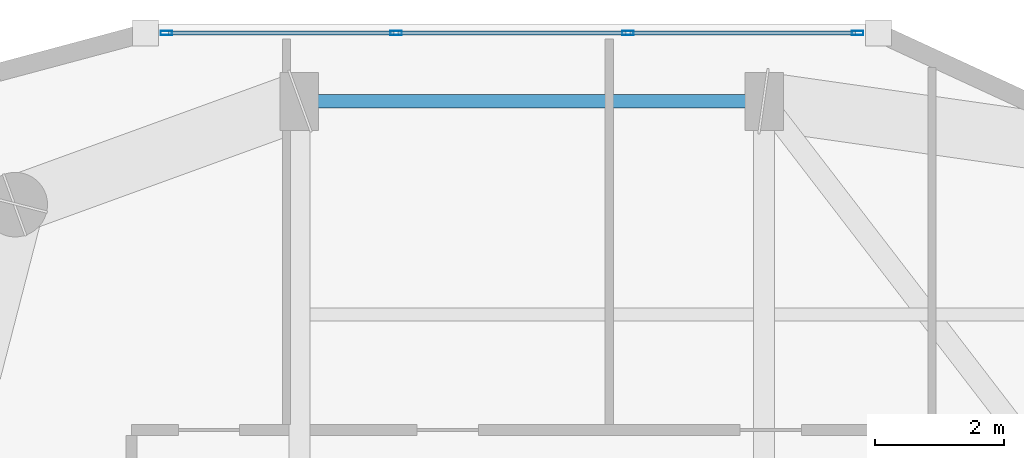
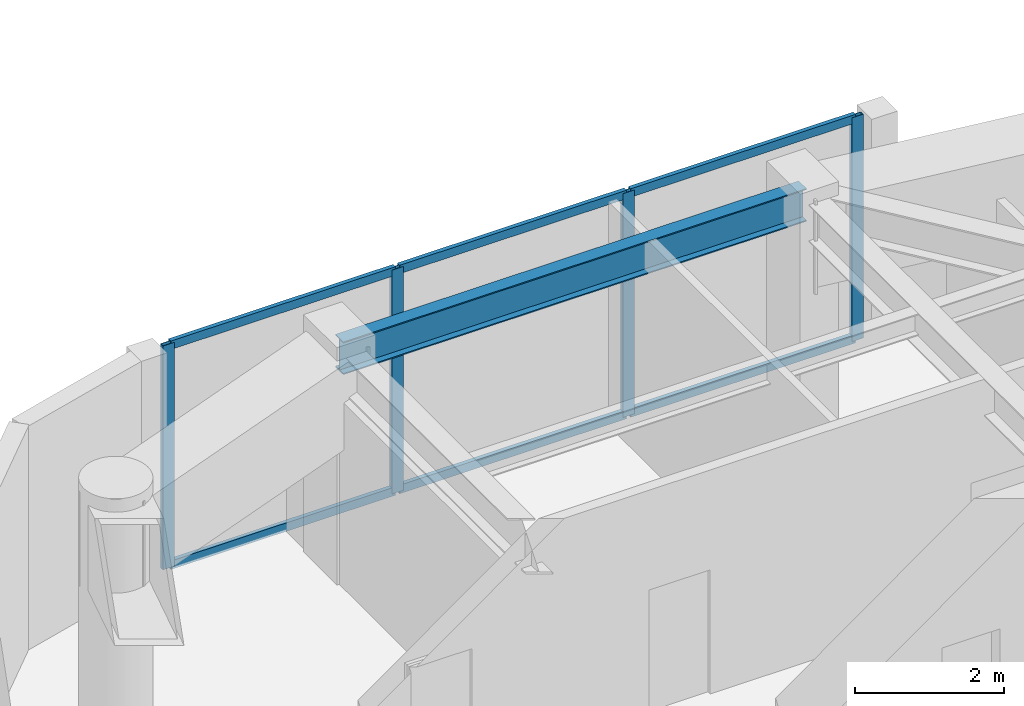
# One storey, part 6 of 15: 10 members, 1 beam, 1 element without a shape of its own.
"""IFC4 building model written with IfcOpenShell, lengths in metres."""

from ifc_helpers import new_model, si_unit, direction, frame, origin, origin_2d, place, context, subcontext, project, spatial, hollow_rectangle, i_section, extrude, material, layer, layer_set, material_profile, profile_set, type_object, element, aggregate, save


model = new_model("IFC4")

# Units and contexts
model_context = context("Model", 3, precision=1e-05, world=origin(), true_north=direction((0.0, 1.0)))
body_context = subcontext(model_context, "Body", "Model", "MODEL_VIEW")
ifc_project = project(units=[si_unit("LENGTHUNIT", "METRE"), si_unit("AREAUNIT", "SQUARE_METRE"), si_unit("VOLUMEUNIT", "CUBIC_METRE"), si_unit("PLANEANGLEUNIT", "RADIAN"), si_unit("MASSUNIT", "GRAM", prefix="KILO")], contexts=[model_context])

# Site, building, storey
site_placement = place(None, origin())
site = spatial("IfcSite", under=ifc_project, at=site_placement, CompositionType="ELEMENT")
building_placement = place(site_placement, origin())
building = spatial("IfcBuilding", under=site, at=building_placement, Name="Kiyonajd Concourse Tower", CompositionType="ELEMENT")
storey_placement = place(building_placement, frame((0.0, 0.0, 262.800048828125)))
storey = spatial("IfcBuildingStorey", under=building, at=storey_placement, Name="L66", CompositionType="ELEMENT", Elevation=262.800048828125)

# Beam
ifc_material_1 = material(Name="Steel ASTM A992 Grade 50", Category="steel")
ifc_material_profile_1 = material_profile(ifc_material_1, i_section(OverallWidth=0.2109375, OverallDepth=0.5390625, WebThickness=0.01171875, FlangeThickness=0.018798828125, at=origin_2d()), Name="W530X109")
ifc_profile_set_1 = profile_set([ifc_material_profile_1], Name="Steel ASTM A992 Grade 50")
beam_type = type_object("IfcBeamType", Name="BM-SPAN-530B", PredefinedType="SPANDREL", material=ifc_profile_set_1)
beam_placement = place(storey_placement, frame((39.60009765625, 52.199951171875, 3.410400390625), z_axis=(-1.0, 0.0, 0.0), x_axis=(0.0, -1.0, 0.0)))
element("IfcBeam", 1, at=beam_placement, inside=storey, type_object=beam_type, Name="L66 Perimeter Bundled Tube Spandrel", PredefinedType="SPANDREL", context=body_context, shape_type="SweptSolid", body=[
    extrude(i_section(OverallWidth=0.2109375, OverallDepth=0.5390625, WebThickness=0.01171875, FlangeThickness=0.018798828125, at=origin_2d()), origin(), (0.0, 0.0, 1.0), 7.2001953125),
])

# Curtain wall, members
ifc_material_2 = material(Name="Thermally Broken Anodised Aluminium", Category="aluminium")
ifc_layer = layer(ifc_material_2, 0.179931640625)
ifc_layer_set = layer_set([ifc_layer], Name="Thermally Broken Anodised Aluminium")
curtain_wall_type = type_object("IfcCurtainWallType", Name="CW-SYS-04", PredefinedType="NOTDEFINED", material=ifc_layer_set)
curtain_wall_placement = place(storey_placement, origin())
curtain_wall = element("IfcCurtainWall", 2, at=curtain_wall_placement, inside=storey, type_object=curtain_wall_type, Name="L66 Unitised Curtain Wall CW4", PredefinedType="NOTDEFINED")
ifc_material_profile_2 = material_profile(ifc_material_2, hollow_rectangle(XDim=0.06494140625, YDim=0.179931640625, WallThickness=0.00390625, at=origin_2d()), Name="MULL-65x180")
ifc_profile_set_2 = profile_set([ifc_material_profile_2], Name="Thermally Broken Anodised Aluminium")
member_type_1 = type_object("IfcMemberType", Name="MB-CW-MULL1", PredefinedType="MULLION", material=ifc_profile_set_2)
member_1_placement = place(storey_placement, frame((30.3408203125, 53.260009765625, 0.0), z_axis=(0.0, 0.0, 1.0), x_axis=(0.0, 1.0, 0.0)))
member_1 = element("IfcMember", 3, at=member_1_placement, type_object=member_type_1, Name="CW4 mullion 1", PredefinedType="MULLION", context=body_context, shape_type="SweptSolid", body=[
    extrude(hollow_rectangle(XDim=0.06494140625, YDim=0.179931640625, WallThickness=0.00390625, at=origin_2d()), origin(), (0.0, 0.0, 1.0), 3.679931640625),
])
member_2_placement = place(storey_placement, frame((33.898681640625, 53.260009765625, 0.0), z_axis=(0.0, 0.0, 1.0), x_axis=(0.0, 1.0, 0.0)))
member_2 = element("IfcMember", 4, at=member_2_placement, type_object=member_type_1, Name="CW4 mullion 2", PredefinedType="MULLION", context=body_context, shape_type="SweptSolid", body=[
    extrude(hollow_rectangle(XDim=0.06494140625, YDim=0.179931640625, WallThickness=0.00390625, at=origin_2d()), origin(), (0.0, 0.0, 1.0), 3.679931640625),
])
member_3_placement = place(storey_placement, frame((37.489013671875, 53.260009765625, 0.0), z_axis=(0.0, 0.0, 1.0), x_axis=(0.0, 1.0, 0.0)))
member_3 = element("IfcMember", 5, at=member_3_placement, type_object=member_type_1, Name="CW4 mullion 3", PredefinedType="MULLION", context=body_context, shape_type="SweptSolid", body=[
    extrude(hollow_rectangle(XDim=0.06494140625, YDim=0.179931640625, WallThickness=0.00390625, at=origin_2d()), origin(), (0.0, 0.0, 1.0), 3.679931640625),
])
member_4_placement = place(storey_placement, frame((41.046875, 53.260009765625, 0.0), z_axis=(0.0, 0.0, 1.0), x_axis=(0.0, 1.0, 0.0)))
member_4 = element("IfcMember", 6, at=member_4_placement, type_object=member_type_1, Name="CW4 mullion 4", PredefinedType="MULLION", context=body_context, shape_type="SweptSolid", body=[
    extrude(hollow_rectangle(XDim=0.06494140625, YDim=0.179931640625, WallThickness=0.00390625, at=origin_2d()), origin(), (0.0, 0.0, 1.0), 3.679931640625),
])
ifc_material_profile_3 = material_profile(ifc_material_2, hollow_rectangle(XDim=0.06494140625, YDim=0.139892578125, WallThickness=0.00390625, at=origin_2d()), Name="TRAN-65x140")
ifc_profile_set_3 = profile_set([ifc_material_profile_3], Name="Thermally Broken Anodised Aluminium")
member_type_2 = type_object("IfcMemberType", Name="MB-CW-TRAN1", PredefinedType="USERDEFINED", material=ifc_profile_set_3)
member_5_placement = place(storey_placement, frame((30.373291015625, 53.260009765625, 0.032470703125), z_axis=(1.0, 0.0, 0.0), x_axis=(0.0, 1.0, 0.0)))
member_5 = element("IfcMember", 7, at=member_5_placement, type_object=member_type_2, Name="CW4 transom 1.1", ObjectType="TRANSOM", PredefinedType="USERDEFINED", context=body_context, shape_type="SweptSolid", body=[
    extrude(hollow_rectangle(XDim=0.06494140625, YDim=0.139892578125, WallThickness=0.00390625, at=origin_2d()), origin(), (0.0, 0.0, 1.0), 3.492919921875),
])
member_6_placement = place(storey_placement, frame((30.373291015625, 53.260009765625, 3.6474609375), z_axis=(1.0, 0.0, 0.0), x_axis=(0.0, 1.0, 0.0)))
member_6 = element("IfcMember", 8, at=member_6_placement, type_object=member_type_2, Name="CW4 transom 1.2", ObjectType="TRANSOM", PredefinedType="USERDEFINED", context=body_context, shape_type="SweptSolid", body=[
    extrude(hollow_rectangle(XDim=0.06494140625, YDim=0.139892578125, WallThickness=0.00390625, at=origin_2d()), origin(), (0.0, 0.0, 1.0), 3.492919921875),
])
member_7_placement = place(storey_placement, frame((33.93115234375, 53.260009765625, 0.032470703125), z_axis=(1.0, 0.0, 0.0), x_axis=(0.0, 1.0, 0.0)))
member_7 = element("IfcMember", 9, at=member_7_placement, type_object=member_type_2, Name="CW4 transom 2.1", ObjectType="TRANSOM", PredefinedType="USERDEFINED", context=body_context, shape_type="SweptSolid", body=[
    extrude(hollow_rectangle(XDim=0.06494140625, YDim=0.139892578125, WallThickness=0.00390625, at=origin_2d()), origin(), (0.0, 0.0, 1.0), 3.525390625),
])
member_8_placement = place(storey_placement, frame((33.93115234375, 53.260009765625, 3.6474609375), z_axis=(1.0, 0.0, 0.0), x_axis=(0.0, 1.0, 0.0)))
member_8 = element("IfcMember", 10, at=member_8_placement, type_object=member_type_2, Name="CW4 transom 2.2", ObjectType="TRANSOM", PredefinedType="USERDEFINED", context=body_context, shape_type="SweptSolid", body=[
    extrude(hollow_rectangle(XDim=0.06494140625, YDim=0.139892578125, WallThickness=0.00390625, at=origin_2d()), origin(), (0.0, 0.0, 1.0), 3.525390625),
])
member_9_placement = place(storey_placement, frame((37.521484375, 53.260009765625, 0.032470703125), z_axis=(1.0, 0.0, 0.0), x_axis=(0.0, 1.0, 0.0)))
member_9 = element("IfcMember", 11, at=member_9_placement, type_object=member_type_2, Name="CW4 transom 3.1", ObjectType="TRANSOM", PredefinedType="USERDEFINED", context=body_context, shape_type="SweptSolid", body=[
    extrude(hollow_rectangle(XDim=0.06494140625, YDim=0.139892578125, WallThickness=0.00390625, at=origin_2d()), origin(), (0.0, 0.0, 1.0), 3.492919921875),
])
member_10_placement = place(storey_placement, frame((37.521484375, 53.260009765625, 3.6474609375), z_axis=(1.0, 0.0, 0.0), x_axis=(0.0, 1.0, 0.0)))
member_10 = element("IfcMember", 12, at=member_10_placement, type_object=member_type_2, Name="CW4 transom 3.2", ObjectType="TRANSOM", PredefinedType="USERDEFINED", context=body_context, shape_type="SweptSolid", body=[
    extrude(hollow_rectangle(XDim=0.06494140625, YDim=0.139892578125, WallThickness=0.00390625, at=origin_2d()), origin(), (0.0, 0.0, 1.0), 3.492919921875),
])
aggregate(curtain_wall, [member_1, member_2, member_3, member_4, member_5, member_6, member_7, member_8, member_9, member_10])

save(model, "model.ifc")
